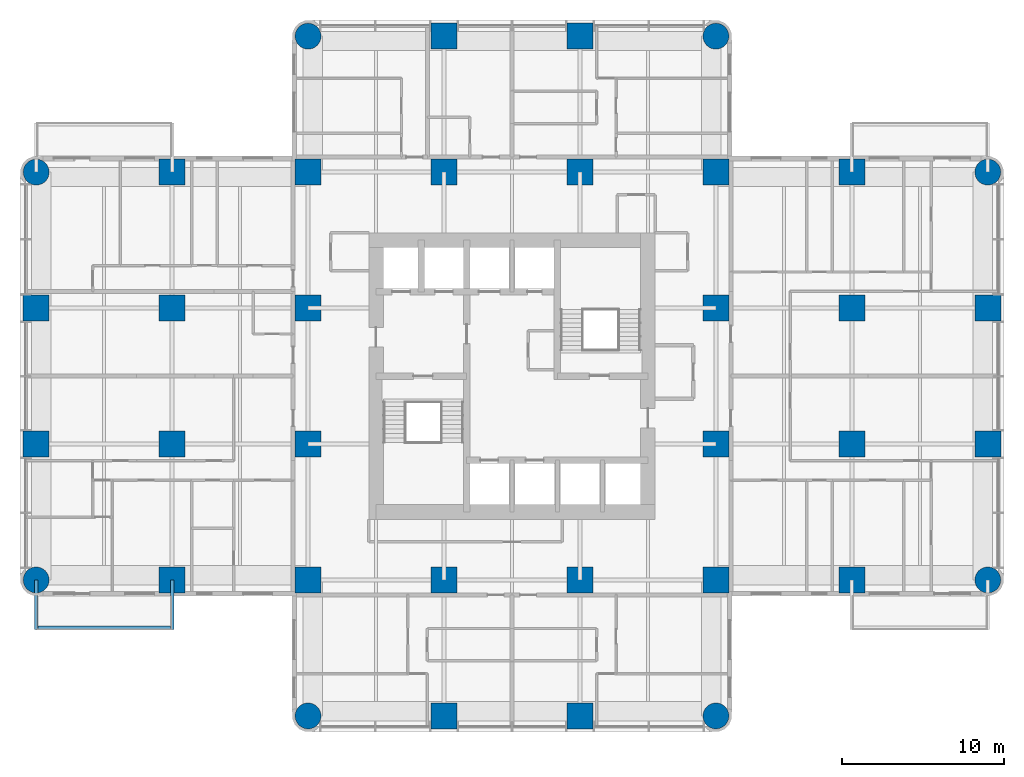
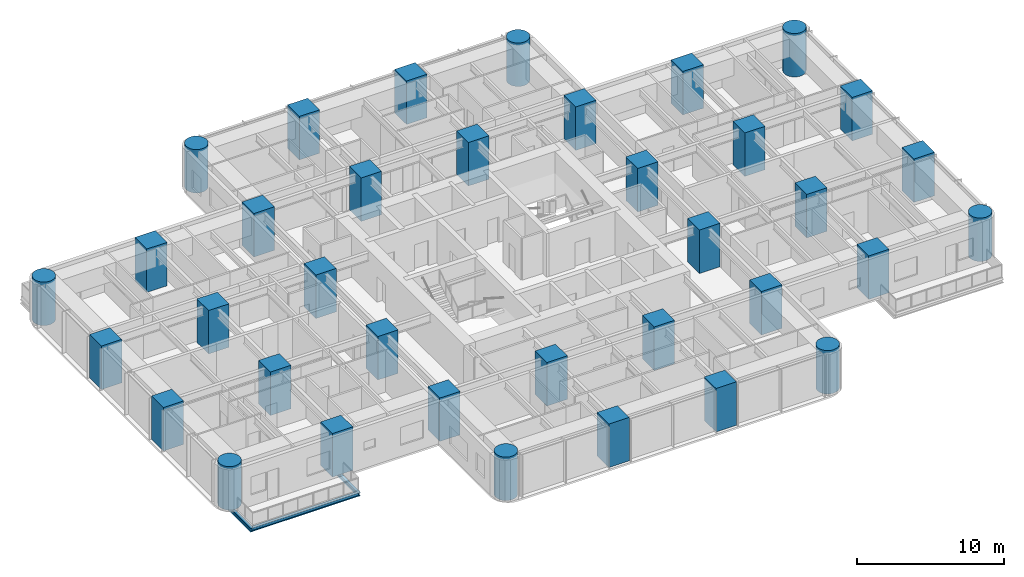
# One storey, part 1 of 14: 36 columns, 3 beams.
"""IFC4 building model written with IfcOpenShell, lengths in metres."""

import ifcopenshell
import ifcopenshell.guid

model = None  # the IFC model being written
_history = None  # IfcOwnerHistory: only IFC2X3 demands one
_inside = {}  # id of a spatial element -> (the spatial element, [elements in it])
_under = {}  # id of a project, library or spatial element -> (it, [spatial elements below it])
_declared = {}  # id of a project -> (the project, [libraries it declares])
_typed = {}  # id of a type object -> (the type object, [elements of that type])
_made_of = {}  # id of a material, layer set ... -> (it, [elements and type objects made of it])


def new_model(schema):
    """Start an empty IFC model of exactly this schema.

    Asked for "IFC4X3", IfcOpenShell would pick the latest addendum, in which some entities
    have other attributes; the version numbers below select the first issue.
    IFC2X3 requires an IfcOwnerHistory on every rooted entity: one is made here for all.
    """
    global model, _history
    if schema == "IFC4X3":
        model = ifcopenshell.file(schema_version=(4, 3, 0, 0))
    else:
        model = ifcopenshell.file(schema=schema)
    _inside.clear()
    _under.clear()
    _declared.clear()
    _typed.clear()
    _made_of.clear()
    _history = None
    if model.schema == "IFC2X3":
        org = make("IfcOrganization", Name="unknown")
        user = make(
            "IfcPersonAndOrganization",
            ThePerson=make("IfcPerson", FamilyName="unknown"),
            TheOrganization=org,
        )
        app = make(
            "IfcApplication",
            ApplicationDeveloper=org,
            Version="unknown",
            ApplicationFullName="unknown",
            ApplicationIdentifier="unknown",
        )
        _history = make(
            "IfcOwnerHistory",
            OwningUser=user,
            OwningApplication=app,
            ChangeAction="ADDED",
            CreationDate=0,
        )
    return model


def make(cls, **values):
    """One entity of the class cls with the attributes given. An attribute that is None is left unset."""
    return model.create_entity(
        cls, **{name: value for name, value in values.items() if value is not None}
    )


def rooted(cls, **values):
    """An entity with a GlobalId (a new one), such as an element, a storey or a relation."""
    return make(cls, GlobalId=ifcopenshell.guid.new(), OwnerHistory=_history, **values)


def si_unit(unit_type, name, prefix=None):
    """IfcSIUnit, for example si_unit("LENGTHUNIT", "METRE", prefix="MILLI")."""
    return make("IfcSIUnit", UnitType=unit_type, Prefix=prefix, Name=name)


def assignment(units):
    """IfcUnitAssignment: the units of a project."""
    return None if units is None else make("IfcUnitAssignment", Units=units)


def point(xyz):
    """IfcCartesianPoint."""
    return None if xyz is None else make("IfcCartesianPoint", Coordinates=xyz)


def direction(xyz):
    """IfcDirection."""
    return None if xyz is None else make("IfcDirection", DirectionRatios=xyz)


def frame(location, z_axis=None, x_axis=None):
    """IfcAxis2Placement3D, a coordinate frame: its origin and axes. An axis left out is left unset."""
    return make(
        "IfcAxis2Placement3D",
        Location=point(location),
        Axis=direction(z_axis),
        RefDirection=direction(x_axis),
    )


def frame_2d(location, x_axis=None):
    """IfcAxis2Placement2D, a coordinate frame in the plane: its origin and x axis."""
    return make(
        "IfcAxis2Placement2D", Location=point(location), RefDirection=direction(x_axis)
    )


def origin():
    """The frame at (0, 0, 0) with its axes left unset."""
    return frame((0.0, 0.0, 0.0))


def origin_2d():
    """The frame at (0, 0) in the plane with its x axis left unset."""
    return frame_2d((0.0, 0.0))


def place(relative_to, where):
    """IfcLocalPlacement: puts the frame where relative to a parent placement (None: the world)."""
    return make(
        "IfcLocalPlacement", PlacementRelTo=relative_to, RelativePlacement=where
    )


def context(
    kind, dimensions, precision=None, world=None, true_north=None, identifier=None
):
    """IfcGeometricRepresentationContext, for example the 3D "Model" context."""
    return make(
        "IfcGeometricRepresentationContext",
        ContextIdentifier=identifier,
        ContextType=kind,
        CoordinateSpaceDimension=dimensions,
        Precision=precision,
        WorldCoordinateSystem=world,
        TrueNorth=true_north,
    )


def subcontext(parent, identifier, kind, view, scale=None):
    """IfcGeometricRepresentationSubContext, for example "Body" below "Model"."""
    return make(
        "IfcGeometricRepresentationSubContext",
        ContextIdentifier=identifier,
        ContextType=kind,
        ParentContext=parent,
        TargetScale=scale,
        TargetView=view,
    )


def project(units=None, contexts=None):
    """IfcProject with its units and contexts."""
    return rooted(
        "IfcProject",
        Name="project",
        RepresentationContexts=contexts,
        UnitsInContext=assignment(units),
    )


def spatial(cls, under=None, at=None, **own):
    """A site, building, storey or space (cls), placed at a placement, below another one or the project."""
    s = rooted(cls, ObjectPlacement=at, **own)
    if under is not None:
        _under.setdefault(under.id(), (under, []))[1].append(s)
    return s


def profile(cls, at=None, kind="AREA", **sizes):
    """A parametric profile (cls). Its sizes go by their IFC names, for example OverallWidth=200.0."""
    return make(cls, ProfileType=kind, Position=at, **sizes)


def rectangle(**sizes):
    """IfcRectangleProfileDef."""
    return profile("IfcRectangleProfileDef", **sizes)


def circle(**sizes):
    """IfcCircleProfileDef."""
    return profile("IfcCircleProfileDef", **sizes)


def i_section(**sizes):
    """IfcIShapeProfileDef."""
    return profile("IfcIShapeProfileDef", **sizes)


def extrude(swept, where, along, depth):
    """IfcExtrudedAreaSolid: the profile swept, set in the frame where, extruded along a direction by depth."""
    return make(
        "IfcExtrudedAreaSolid",
        SweptArea=swept,
        Position=where,
        ExtrudedDirection=direction(along),
        Depth=depth,
    )


def shape(context_of_items, identifier, shape_type, items):
    """IfcShapeRepresentation: the items that make up one representation, for example the "Body"."""
    return make(
        "IfcShapeRepresentation",
        ContextOfItems=context_of_items,
        RepresentationIdentifier=identifier,
        RepresentationType=shape_type,
        Items=items,
    )


def material(Name=None, Category=None):
    """IfcMaterial."""
    return make("IfcMaterial", Name=Name, Category=Category)


def material_profile(
    of_material, cross_section, Name=None, Category=None, Priority=None
):
    """IfcMaterialProfile: a cross section and its material."""
    return make(
        "IfcMaterialProfile",
        Name=Name,
        Material=of_material,
        Profile=cross_section,
        Priority=Priority,
        Category=Category,
    )


def profile_set(profiles, Name=None, composite=None):
    """IfcMaterialProfileSet."""
    return make(
        "IfcMaterialProfileSet",
        Name=Name,
        MaterialProfiles=profiles,
        CompositeProfile=composite,
    )


def made_of(thing, what):
    """Note that an element or type object is made of a material, layer set ...; save() writes the relation."""
    if what is not None:
        _made_of.setdefault(what.id(), (what, []))[1].append(thing)
    return thing


def type_object(cls, material=None, **own):
    """A type object (cls), such as IfcWallType, which elements share."""
    return made_of(rooted(cls, **own), material)


def element(
    cls,
    number,
    at=None,
    inside=None,
    cuts=None,
    type_object=None,
    material=None,
    context=None,
    identifier="Body",
    shape_type=None,
    held_by="IfcProductDefinitionShape",
    body=None,
    shapes=None,
    **own,
):
    """One element of the class cls, such as IfcWall. Its Tag is "e" and its number.

    at: its placement. inside: the storey or other place that contains it. cuts: it is an
    opening in that element (IfcRelVoidsElement). A single representation is given by context,
    identifier, shape_type and body (its items); several are given by shapes. held_by: the class
    of the entity that holds the representations. save() writes the other relations.
    """
    e = rooted(cls, Tag="e%d" % number, ObjectPlacement=at, **own)
    if body is not None:
        shapes = [shape(context, identifier, shape_type, body)]
    if shapes is not None:
        e.Representation = make(held_by, Representations=shapes)
    if inside is not None:
        _inside.setdefault(inside.id(), (inside, []))[1].append(e)
    if cuts is not None:
        rooted(
            "IfcRelVoidsElement", RelatingBuildingElement=cuts, RelatedOpeningElement=e
        )
    if type_object is not None:
        _typed.setdefault(type_object.id(), (type_object, []))[1].append(e)
    return made_of(e, material)


def aggregate(whole, parts):
    """IfcRelAggregates: a whole, such as a stair, and the parts it consists of."""
    return rooted("IfcRelAggregates", RelatingObject=whole, RelatedObjects=parts)


def save(model, path):
    """Write the relations noted so far, then the file.

    IfcRelAggregates (storeys below a building ...), IfcRelContainedInSpatialStructure (elements
    in a storey), IfcRelDefinesByType, IfcRelAssociatesMaterial and IfcRelDeclares: one each for
    every whole, place, type object, material and project.
    """
    for whole, parts in _under.values():
        aggregate(whole, parts)
    for where, things in _inside.values():
        rooted(
            "IfcRelContainedInSpatialStructure",
            RelatedElements=things,
            RelatingStructure=where,
        )
    for kind, things in _typed.values():
        rooted("IfcRelDefinesByType", RelatedObjects=things, RelatingType=kind)
    for what, things in _made_of.values():
        rooted("IfcRelAssociatesMaterial", RelatedObjects=things, RelatingMaterial=what)
    for by, libraries in _declared.values():
        rooted("IfcRelDeclares", RelatingContext=by, RelatedDefinitions=libraries)
    model.write(path)


model = new_model("IFC4")

# Units and contexts
model_context = context("Model", 3, precision=1e-05, world=origin(), true_north=direction((0.0, 1.0)))
body_context = subcontext(model_context, "Body", "Model", "MODEL_VIEW")
ifc_project = project(units=[si_unit("LENGTHUNIT", "METRE"), si_unit("AREAUNIT", "SQUARE_METRE"), si_unit("VOLUMEUNIT", "CUBIC_METRE"), si_unit("PLANEANGLEUNIT", "RADIAN"), si_unit("MASSUNIT", "GRAM", prefix="KILO")], contexts=[model_context])

# Site, building, storey
site_placement = place(None, origin())
site = spatial("IfcSite", under=ifc_project, at=site_placement, CompositionType="ELEMENT")
building_placement = place(site_placement, origin())
building = spatial("IfcBuilding", under=site, at=building_placement, Name="Torre Alcanfor", CompositionType="ELEMENT")
storey_placement = place(building_placement, frame((0.0, 0.0, 126.89990234375)))
storey = spatial("IfcBuildingStorey", under=building, at=storey_placement, Name="L32", CompositionType="ELEMENT", Elevation=126.89990234375)

# Columns
ifc_material_1 = material(Name="Concrete f'c 70 MPa", Category="concrete")
ifc_material_profile_1 = material_profile(ifc_material_1, rectangle(XDim=1.60009765625, YDim=1.60009765625, at=origin_2d()), Name="1600x1600")
ifc_profile_set_1 = profile_set([ifc_material_profile_1], Name="Concrete f'c 70 MPa")
column_type_1 = type_object("IfcColumnType", Name="RC column 1600x1600 f'c70", PredefinedType="COLUMN", material=ifc_profile_set_1)
for number, where, z_axis, x_axis, name in (
    (1, (0.0, 25.199951171875, 0.0), (0.0, 0.0, 1.0), (1.0, 0.0, 0.0), "Column 1/F L32"),
    (2, (0.0, 33.60009765625, 0.0), (0.0, 0.0, 1.0), (1.0, 0.0, 0.0), "Column 1/G L32"),
    (3, (8.39990234375, 16.800048828125, 0.0), (0.0, 0.0, 1.0), (1.0, 0.0, 0.0), "Column 2/E L32"),
    (4, (8.39990234375, 25.199951171875, 0.0), (0.0, 0.0, 1.0), (1.0, 0.0, 0.0), "Column 2/F L32"),
    (5, (8.39990234375, 33.60009765625, 0.0), (0.0, 0.0, 1.0), (1.0, 0.0, 0.0), "Column 2/G L32"),
    (6, (8.39990234375, 42.0, 0.0), (0.0, 0.0, 1.0), (1.0, 0.0, 0.0), "Column 2/H L32"),
    (7, (16.800048828125, 16.800048828125, 0.0), (0.0, 0.0, 1.0), (1.0, 0.0, 0.0), "Column 3/E L32"),
    (8, (16.800048828125, 25.199951171875, 0.0), (0.0, 0.0, 1.0), (1.0, 0.0, 0.0), "Column 3/F L32"),
    (9, (16.800048828125, 33.60009765625, 0.0), (0.0, 0.0, 1.0), (1.0, 0.0, 0.0), "Column 3/G L32"),
    (10, (16.800048828125, 42.0, 0.0), (0.0, 0.0, 1.0), (1.0, 0.0, 0.0), "Column 3/H L32"),
    (11, (25.199951171875, 8.39990234375, 0.0), (0.0, 0.0, 1.0), (1.0, 0.0, 0.0), "Column 4/D L32"),
    (12, (25.199951171875, 16.800048828125, 0.0), (0.0, 0.0, 1.0), (1.0, 0.0, 0.0), "Column 4/E L32"),
    (13, (25.199951171875, 42.0, 0.0), (0.0, 0.0, 1.0), (1.0, 0.0, 0.0), "Column 4/H L32"),
    (14, (25.199951171875, 50.39990234375, 0.0), (0.0, 0.0, 1.0), (1.0, 0.0, 0.0), "Column 4/J L32"),
    (15, (33.60009765625, 8.39990234375, 0.0), (0.0, 0.0, 1.0), (1.0, 0.0, 0.0), "Column 5/D L32"),
    (16, (33.60009765625, 16.800048828125, 0.0), (0.0, 0.0, 1.0), (1.0, 0.0, 0.0), "Column 5/E L32"),
    (17, (33.60009765625, 42.0, 0.0), (0.0, 0.0, 1.0), (1.0, 0.0, 0.0), "Column 5/H L32"),
    (18, (33.60009765625, 50.39990234375, 0.0), (0.0, 0.0, 1.0), (1.0, 0.0, 0.0), "Column 5/J L32"),
    (19, (42.0, 16.800048828125, 0.0), (0.0, 0.0, 1.0), (1.0, 0.0, 0.0), "Column 6/E L32"),
    (20, (42.0, 25.199951171875, 0.0), (0.0, 0.0, 1.0), (1.0, 0.0, 0.0), "Column 6/F L32"),
    (21, (42.0, 33.60009765625, 0.0), (0.0, 0.0, 1.0), (1.0, 0.0, 0.0), "Column 6/G L32"),
    (22, (42.0, 42.0, 0.0), (0.0, 0.0, 1.0), (1.0, 0.0, 0.0), "Column 6/H L32"),
    (23, (50.39990234375, 16.800048828125, 0.0), (0.0, 0.0, 1.0), (1.0, 0.0, 0.0), "Column 7/E L32"),
    (24, (50.39990234375, 25.199951171875, 0.0), (0.0, 0.0, 1.0), (1.0, 0.0, 0.0), "Column 7/F L32"),
    (25, (50.39990234375, 33.60009765625, 0.0), (0.0, 0.0, 1.0), (1.0, 0.0, 0.0), "Column 7/G L32"),
    (26, (50.39990234375, 42.0, 0.0), (0.0, 0.0, 1.0), (1.0, 0.0, 0.0), "Column 7/H L32"),
    (27, (58.800048828125, 25.199951171875, 0.0), (0.0, 0.0, 1.0), (1.0, 0.0, 0.0), "Column 8/F L32"),
    (28, (58.800048828125, 33.60009765625, 0.0), (0.0, 0.0, 1.0), (1.0, 0.0, 0.0), "Column 8/G L32"),
):
    element("IfcColumn", number, at=place(storey_placement, frame(where, z_axis=z_axis, x_axis=x_axis)), inside=storey, type_object=column_type_1, Name=name, PredefinedType="COLUMN", context=body_context, shape_type="SweptSolid", body=[
        extrude(rectangle(XDim=1.60009765625, YDim=1.60009765625, at=origin_2d()), origin(), (0.0, 0.0, 1.0), 3.60009765625),
    ])
ifc_material_2 = material(Name="Concrete f'c 70 MPa", Category="concrete")
ifc_material_profile_2 = material_profile(ifc_material_2, circle(Radius=0.800048828125, at=origin_2d()), Name="D1600")
ifc_profile_set_2 = profile_set([ifc_material_profile_2], Name="Concrete f'c 70 MPa")
column_type_2 = type_object("IfcColumnType", Name="RC column D1600 f'c70", PredefinedType="COLUMN", material=ifc_profile_set_2)
for number, where, z_axis, x_axis, name in (
    (29, (0.0, 16.800048828125, 0.0), (0.0, 0.0, 1.0), (1.0, 0.0, 0.0), "Column 1/E L32"),
    (30, (0.0, 42.0, 0.0), (0.0, 0.0, 1.0), (1.0, 0.0, 0.0), "Column 1/H L32"),
    (31, (16.800048828125, 8.39990234375, 0.0), (0.0, 0.0, 1.0), (1.0, 0.0, 0.0), "Column 3/D L32"),
    (32, (16.800048828125, 50.39990234375, 0.0), (0.0, 0.0, 1.0), (1.0, 0.0, 0.0), "Column 3/J L32"),
    (33, (42.0, 8.39990234375, 0.0), (0.0, 0.0, 1.0), (1.0, 0.0, 0.0), "Column 6/D L32"),
    (34, (42.0, 50.39990234375, 0.0), (0.0, 0.0, 1.0), (1.0, 0.0, 0.0), "Column 6/J L32"),
    (35, (58.800048828125, 16.800048828125, 0.0), (0.0, 0.0, 1.0), (1.0, 0.0, 0.0), "Column 8/E L32"),
    (36, (58.800048828125, 42.0, 0.0), (0.0, 0.0, 1.0), (1.0, 0.0, 0.0), "Column 8/H L32"),
):
    element("IfcColumn", number, at=place(storey_placement, frame(where, z_axis=z_axis, x_axis=x_axis)), inside=storey, type_object=column_type_2, Name=name, PredefinedType="COLUMN", context=body_context, shape_type="SweptSolid", body=[
        extrude(circle(Radius=0.800048828125, at=origin_2d()), origin(), (0.0, 0.0, 1.0), 3.60009765625),
    ])

# Beams
ifc_material_3 = material(Name="Steel ASTM A992 Grade 50", Category="steel")
ifc_material_profile_3 = material_profile(ifc_material_3, i_section(OverallWidth=0.205322265625, OverallDepth=0.309814453125, WebThickness=0.00927734375, FlangeThickness=0.016357421875, at=origin_2d()), Name="W12x50")
ifc_profile_set_3 = profile_set([ifc_material_profile_3], Name="Steel ASTM A992 Grade 50")
beam_type_1 = type_object("IfcBeamType", Name="Balcony cantilever beam W12x50", PredefinedType="BEAM", material=ifc_profile_set_3)
for number, where, z_axis, x_axis, name in (
    (37, (8.39990234375, 16.800048828125, -0.354736328125), (0.0, -1.0, 0.0), (1.0, 0.0, 0.0), "Balcony cantilever beam L32-W1 1"),
    (38, (0.0, 16.800048828125, -0.354736328125), (0.0, -1.0, 0.0), (1.0, 0.0, 0.0), "Balcony cantilever beam L32-W1 2"),
):
    element("IfcBeam", number, at=place(storey_placement, frame(where, z_axis=z_axis, x_axis=x_axis)), inside=storey, type_object=beam_type_1, Name=name, PredefinedType="BEAM", context=body_context, shape_type="SweptSolid", body=[
        extrude(i_section(OverallWidth=0.205322265625, OverallDepth=0.309814453125, WebThickness=0.00927734375, FlangeThickness=0.016357421875, at=origin_2d()), origin(), (0.0, 0.0, 1.0), 3.050048828125),
    ])
ifc_material_4 = material(Name="Steel ASTM A992 Grade 50", Category="steel")
ifc_material_profile_4 = material_profile(ifc_material_4, i_section(OverallWidth=0.203369140625, OverallDepth=0.30224609375, WebThickness=0.007568359375, FlangeThickness=0.01318359375, at=origin_2d()), Name="W12x40")
ifc_profile_set_4 = profile_set([ifc_material_profile_4], Name="Steel ASTM A992 Grade 50")
beam_type_2 = type_object("IfcBeamType", Name="Balcony edge trimmer W12x40", PredefinedType="BEAM", material=ifc_profile_set_4)
beam_placement = place(storey_placement, frame((8.39990234375, 13.851806640625, -0.35107421875), z_axis=(-1.0, 0.0, 0.0), x_axis=(0.0, -1.0, 0.0)))
element("IfcBeam", 39, at=beam_placement, inside=storey, type_object=beam_type_2, Name="Balcony edge trimmer L32-W1", PredefinedType="BEAM", context=body_context, shape_type="SweptSolid", body=[
    extrude(i_section(OverallWidth=0.203369140625, OverallDepth=0.30224609375, WebThickness=0.007568359375, FlangeThickness=0.01318359375, at=origin_2d()), origin(), (0.0, 0.0, 1.0), 8.39990234375),
])

save(model, "model.ifc")
